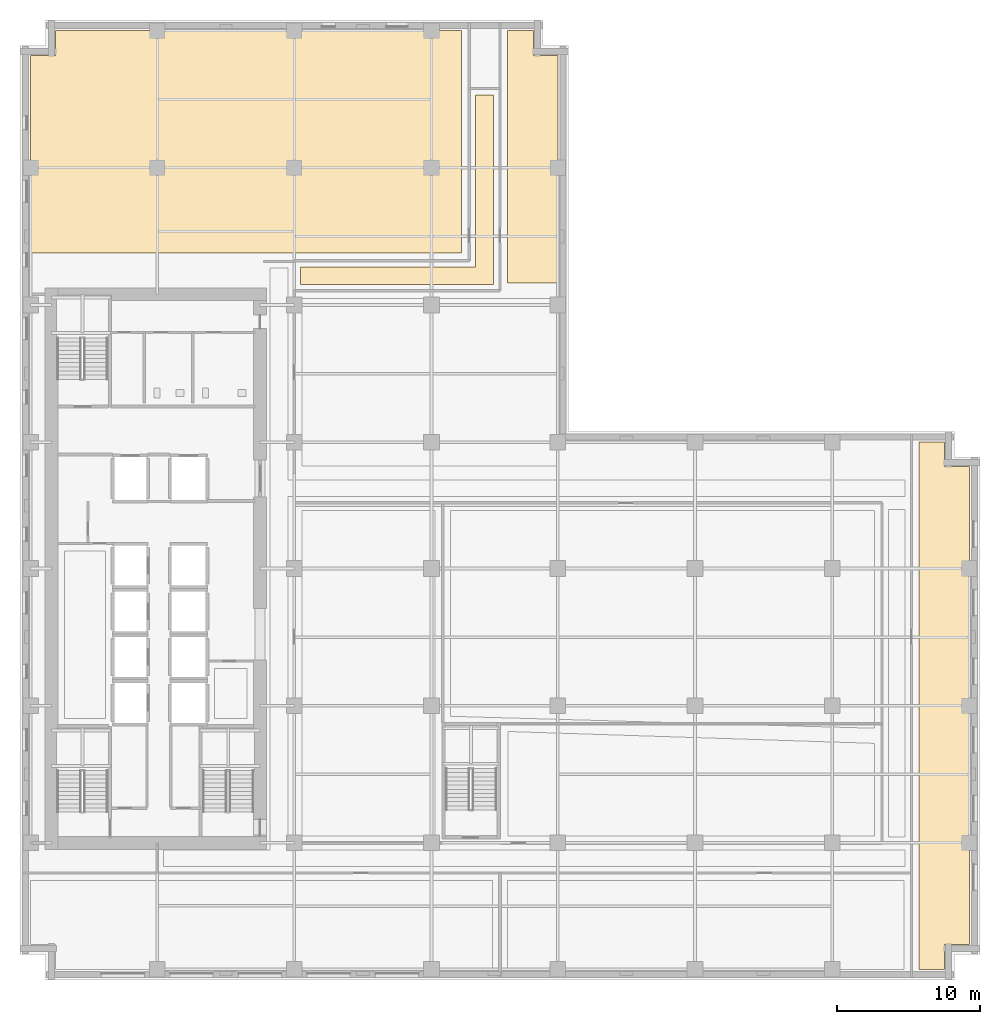
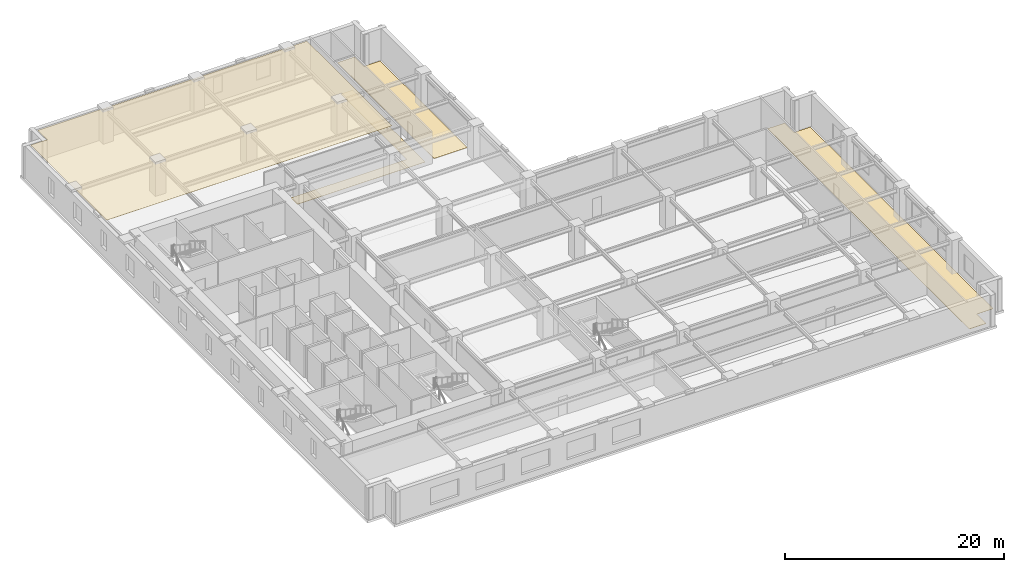
# One storey, part 12 of 13: 4 coverings.
"""IFC4 building model written with IfcOpenShell, lengths in metres."""

from ifc_helpers import new_model, si_unit, direction, frame, origin, place, context, subcontext, project, spatial, polyline, outline, extrude, material, layer, layer_set, type_object, element, save


model = new_model("IFC4")

# Units and contexts
model_context = context("Model", 3, precision=1e-05, world=origin(), true_north=direction((0.0, 1.0)))
body_context = subcontext(model_context, "Body", "Model", "MODEL_VIEW")
ifc_project = project(units=[si_unit("LENGTHUNIT", "METRE"), si_unit("AREAUNIT", "SQUARE_METRE"), si_unit("VOLUMEUNIT", "CUBIC_METRE"), si_unit("PLANEANGLEUNIT", "RADIAN"), si_unit("MASSUNIT", "GRAM", prefix="KILO")], contexts=[model_context])

# Site, building, storey
site_placement = place(None, origin())
site = spatial("IfcSite", under=ifc_project, at=site_placement, CompositionType="ELEMENT")
building_placement = place(site_placement, origin())
building = spatial("IfcBuilding", under=site, at=building_placement, Name="Norrvale University Quadrangle", CompositionType="ELEMENT")
storey_placement = place(building_placement, frame((0.0, 0.0, 85.0)))
storey = spatial("IfcBuildingStorey", under=building, at=storey_placement, Name="L21", CompositionType="ELEMENT", Elevation=85.0)

# Coverings
ifc_material_1 = material(Name="Perforated Acoustic Mineral Ceiling")
ifc_layer_1 = layer(ifc_material_1, 0.02490234375, Name="Perforated Acoustic Mineral Ceiling")
ifc_layer_set_1 = layer_set([ifc_layer_1], Name="Perforated Acoustic Mineral Ceiling")
covering_type_1 = type_object("IfcCoveringType", Name="Covering Acoustic Ceiling 25", PredefinedType="CEILING", material=ifc_layer_set_1)
covering_1_placement = place(storey_placement, frame((0.0, 0.0, 3.514892578125)))
element("IfcCovering", 1, at=covering_1_placement, inside=storey, type_object=covering_type_1, Name="Acoustic Ceiling RM-L21-NW01", PredefinedType="CEILING", context=body_context, shape_type="SweptSolid", body=[
    extrude(outline(polyline([(30.919921875, 66.449951171875), (30.919921875, 50.8798828125), (0.75, 50.8798828125), (0.75, 64.72998046875), (2.469970703125, 64.72998046875), (2.469970703125, 66.449951171875), (30.919921875, 66.449951171875)])), origin(), (0.0, 0.0, 1.0), 0.025146484375),
])
ifc_material_2 = material(Name="Polished Terrazzo Flooring")
ifc_layer_2 = layer(ifc_material_2, 0.02490234375, Name="Polished Terrazzo Flooring")
ifc_layer_set_2 = layer_set([ifc_layer_2], Name="Polished Terrazzo Flooring")
covering_type_2 = type_object("IfcCoveringType", Name="Covering Terrazzo Floor 30", PredefinedType="FLOORING", material=ifc_layer_set_2)
covering_2_placement = place(storey_placement, origin())
element("IfcCovering", 2, at=covering_2_placement, inside=storey, type_object=covering_type_2, Name="Terrazzo Flooring RM-L21-E01", PredefinedType="FLOORING", context=body_context, shape_type="SweptSolid", body=[
    extrude(outline(polyline([(62.929931640625, 0.75), (62.929931640625, 37.64990234375), (64.72998046875, 37.64990234375), (64.72998046875, 35.929931640625), (66.449951171875, 35.929931640625), (66.449951171875, 2.469970703125), (64.72998046875, 2.469970703125), (64.72998046875, 0.75), (62.929931640625, 0.75)])), origin(), (0.0, 0.0, 1.0), 0.02490234375),
])
covering_3_placement = place(storey_placement, origin())
element("IfcCovering", 3, at=covering_3_placement, inside=storey, type_object=covering_type_2, Name="Terrazzo Flooring RM-L21-NCJOG", PredefinedType="FLOORING", context=body_context, shape_type="SweptSolid", body=[
    extrude(outline(polyline([(19.64990234375, 48.699951171875), (19.64990234375, 49.89990234375), (31.89990234375, 49.89990234375), (31.89990234375, 61.949951171875), (33.14990234375, 61.949951171875), (33.14990234375, 48.699951171875), (19.64990234375, 48.699951171875)])), origin(), (0.0, 0.0, 1.0), 0.02490234375),
])
covering_4_placement = place(storey_placement, origin())
element("IfcCovering", 4, at=covering_4_placement, inside=storey, type_object=covering_type_2, Name="Terrazzo Flooring RM-L21-NE01", PredefinedType="FLOORING", context=body_context, shape_type="SweptSolid", body=[
    extrude(outline(polyline([(37.64990234375, 48.780029296875), (34.1298828125, 48.780029296875), (34.1298828125, 66.449951171875), (35.929931640625, 66.449951171875), (35.929931640625, 64.72998046875), (37.64990234375, 64.72998046875), (37.64990234375, 48.780029296875)])), origin(), (0.0, 0.0, 1.0), 0.02490234375),
])

save(model, "model.ifc")
